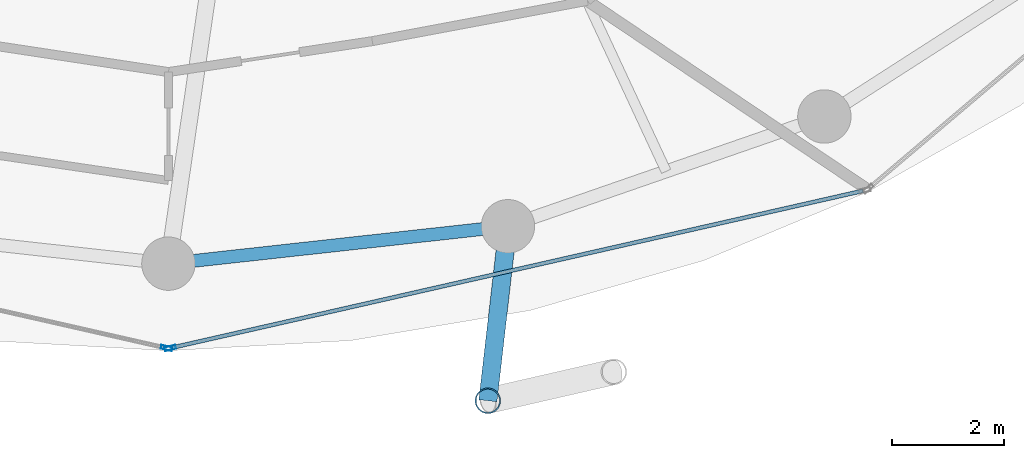
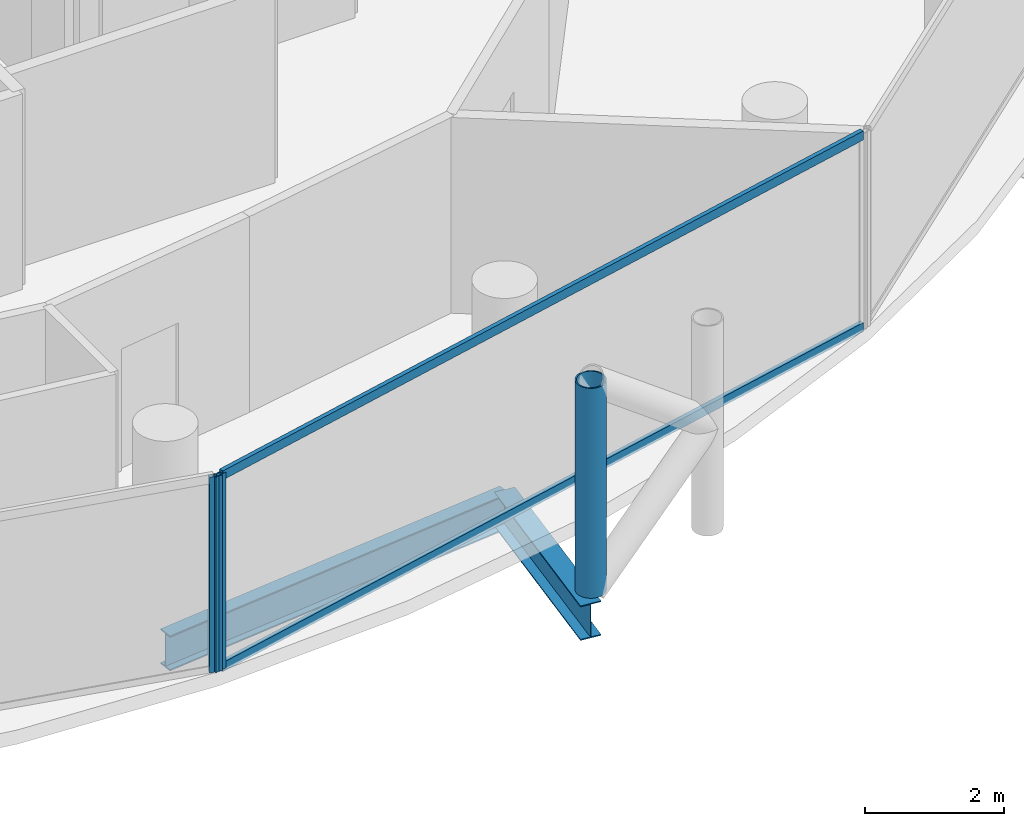
# One storey, part 4 of 26: 5 members, 2 beams, 2 elements without a shape of their own.
"""IFC4 building model written with IfcOpenShell, lengths in metres."""

from ifc_helpers import new_model, si_unit, direction, frame, origin, origin_2d, place, context, subcontext, project, spatial, hollow_rectangle, hollow_circle, i_section, extrude, material, layer, layer_set, material_profile, profile_set, type_object, element, aggregate, save


model = new_model("IFC4")

# Units and contexts
model_context = context("Model", 3, precision=1e-05, world=origin(), true_north=direction((0.0, 1.0)))
body_context = subcontext(model_context, "Body", "Model", "MODEL_VIEW")
ifc_project = project(units=[si_unit("LENGTHUNIT", "METRE"), si_unit("AREAUNIT", "SQUARE_METRE"), si_unit("VOLUMEUNIT", "CUBIC_METRE"), si_unit("PLANEANGLEUNIT", "RADIAN"), si_unit("MASSUNIT", "GRAM", prefix="KILO")], contexts=[model_context])

# Site, building, storey
site_placement = place(None, origin())
site = spatial("IfcSite", under=ifc_project, at=site_placement, CompositionType="ELEMENT")
building_placement = place(site_placement, origin())
building = spatial("IfcBuilding", under=site, at=building_placement, Name="Nuhasar Tower", CompositionType="ELEMENT")
storey_placement = place(building_placement, frame((0.0, 0.0, 170.050048828125)))
storey = spatial("IfcBuildingStorey", under=building, at=storey_placement, Name="L41", CompositionType="ELEMENT", Elevation=170.050048828125)

# Beams
ifc_material_1 = material(Name="Steel S355", Category="steel")
ifc_material_profile_1 = material_profile(ifc_material_1, i_section(OverallWidth=0.22998046875, OverallDepth=0.616943359375, WebThickness=0.01318359375, FlangeThickness=0.022216796875, at=origin_2d()), Name="W24X94")
ifc_profile_set_1 = profile_set([ifc_material_profile_1], Name="Steel S355")
beam_type_1 = type_object("IfcBeamType", Name="BM-RING-W24X94", PredefinedType="SPANDREL", material=ifc_profile_set_1)
beam_1_placement = place(storey_placement, frame((39.0, 7.25, -0.55810546875), z_axis=(0.993981289157, 0.109549974015, 0.0), x_axis=(-0.109549974015, 0.993981289157, 0.0)))
element("IfcBeam", 1, at=beam_1_placement, inside=storey, type_object=beam_type_1, Name="L41 Perimeter Ring Spandrel 19", PredefinedType="SPANDREL", context=body_context, shape_type="SweptSolid", body=[
    extrude(i_section(OverallWidth=0.22998046875, OverallDepth=0.616943359375, WebThickness=0.01318359375, FlangeThickness=0.022216796875, at=origin_2d()), origin(), (0.0, 0.0, 1.0), 6.07958984375),
])
ifc_material_profile_2 = material_profile(ifc_material_1, i_section(OverallWidth=0.323974609375, OverallDepth=0.611083984375, WebThickness=0.0126953125, FlangeThickness=0.01904296875, at=origin_2d()), Name="W24X104")
ifc_profile_set_2 = profile_set([ifc_material_profile_2], Name="Steel S355")
beam_type_2 = type_object("IfcBeamType", Name="BM-TIE-W24X104", PredefinedType="BEAM", material=ifc_profile_set_2)
beam_2_placement = place(storey_placement, frame((45.04296875, 7.916015625, -0.554931640625), z_axis=(-0.114167639647, -0.993461499031, 0.0), x_axis=(0.993461499031, -0.114167639647, 0.0)))
element("IfcBeam", 2, at=beam_2_placement, inside=storey, type_object=beam_type_2, Name="L41 Exoskeleton Node Tie Beam 10", PredefinedType="BEAM", context=body_context, shape_type="SweptSolid", body=[
    extrude(i_section(OverallWidth=0.323974609375, OverallDepth=0.611083984375, WebThickness=0.0126953125, FlangeThickness=0.01904296875, at=origin_2d()), origin(), (0.0, 0.0, 1.0), 3.12646484375),
])

# Curtain wall, member
ifc_material_2 = material(Name="Aluminium 6063-T6", Category="aluminium")
ifc_layer = layer(ifc_material_2, 0.199951171875)
ifc_layer_set = layer_set([ifc_layer], Name="Aluminium 6063-T6")
curtain_wall_type = type_object("IfcCurtainWallType", Name="CW-Z2-HTL", PredefinedType="NOTDEFINED", material=ifc_layer_set)
curtain_wall_1_placement = place(storey_placement, origin())
curtain_wall_1 = element("IfcCurtainWall", 3, at=curtain_wall_1_placement, inside=storey, type_object=curtain_wall_type, Name="L41 Unitised Curtain Wall 09", PredefinedType="NOTDEFINED")
ifc_material_profile_3 = material_profile(ifc_material_2, hollow_rectangle(XDim=0.070068359375, YDim=0.199951171875, WallThickness=0.0048828125, at=origin_2d()), Name="CWM-3")
ifc_profile_set_3 = profile_set([ifc_material_profile_3], Name="Aluminium 6063-T6")
member_type_1 = type_object("IfcMemberType", Name="CW-MUL-S3", PredefinedType="MULLION", material=ifc_profile_set_3)
member_1_placement = place(storey_placement, frame((38.9658203125, 5.747802734375, 0.0), z_axis=(0.0, 0.0, 1.0), x_axis=(0.22139729566, 0.975183694221, 0.0)))
member_1 = element("IfcMember", 4, at=member_1_placement, type_object=member_type_1, Name="CW-Z2 mullion 2", PredefinedType="MULLION", context=body_context, shape_type="SweptSolid", body=[
    extrude(hollow_rectangle(XDim=0.070068359375, YDim=0.199951171875, WallThickness=0.0048828125, at=origin_2d()), origin(), (0.0, 0.0, 1.0), 3.449951171875),
])
aggregate(curtain_wall_1, [member_1])

# Curtain wall, members
curtain_wall_2_placement = place(storey_placement, origin())
curtain_wall_2 = element("IfcCurtainWall", 5, at=curtain_wall_2_placement, inside=storey, type_object=curtain_wall_type, Name="L41 Unitised Curtain Wall 10", PredefinedType="NOTDEFINED")
member_2_placement = place(storey_placement, frame((39.0341796875, 5.747802734375, 0.0), z_axis=(0.0, 0.0, 1.0), x_axis=(-0.22139729566, 0.975183694221, 0.0)))
member_2 = element("IfcMember", 6, at=member_2_placement, type_object=member_type_1, Name="CW-Z2 mullion 1", PredefinedType="MULLION", context=body_context, shape_type="SweptSolid", body=[
    extrude(hollow_rectangle(XDim=0.070068359375, YDim=0.199951171875, WallThickness=0.0048828125, at=origin_2d()), origin(), (0.0, 0.0, 1.0), 3.449951171875),
])
ifc_material_profile_4 = material_profile(ifc_material_2, hollow_rectangle(XDim=0.070068359375, YDim=0.159912109375, WallThickness=0.00439453125, at=origin_2d()), Name="CWT-3")
ifc_profile_set_4 = profile_set([ifc_material_profile_4], Name="Aluminium 6063-T6")
member_type_2 = type_object("IfcMemberType", Name="CW-TRN-S3", PredefinedType="USERDEFINED", material=ifc_profile_set_4)
member_3_placement = place(storey_placement, frame((39.068359375, 5.755615234375, 0.034912109375), z_axis=(0.975187615691, 0.221380022142, 0.0), x_axis=(-0.221380022142, 0.975187615691, 0.0)))
member_3 = element("IfcMember", 7, at=member_3_placement, type_object=member_type_2, Name="CW-Z2 transom 1.1", ObjectType="TRANSOM", PredefinedType="USERDEFINED", context=body_context, shape_type="SweptSolid", body=[
    extrude(hollow_rectangle(XDim=0.070068359375, YDim=0.159912109375, WallThickness=0.00439453125, at=origin_2d()), origin(), (0.0, 0.0, 1.0), 12.606201171875),
])
member_4_placement = place(storey_placement, frame((39.068359375, 5.755615234375, 3.4150390625), z_axis=(0.975187615691, 0.221380022142, 0.0), x_axis=(-0.221380022142, 0.975187615691, 0.0)))
member_4 = element("IfcMember", 8, at=member_4_placement, type_object=member_type_2, Name="CW-Z2 transom 1.2", ObjectType="TRANSOM", PredefinedType="USERDEFINED", context=body_context, shape_type="SweptSolid", body=[
    extrude(hollow_rectangle(XDim=0.070068359375, YDim=0.159912109375, WallThickness=0.00439453125, at=origin_2d()), origin(), (0.0, 0.0, 1.0), 12.606201171875),
])
aggregate(curtain_wall_2, [member_2, member_3, member_4])

# Member
ifc_material_3 = material(Name="Steel S460", Category="steel")
ifc_material_profile_5 = material_profile(ifc_material_3, hollow_circle(Radius=0.228515625, WallThickness=0.022216796875, at=origin_2d()), Name="HSS457X22.2")
ifc_profile_set_5 = profile_set([ifc_material_profile_5], Name="Steel S460")
member_type_3 = type_object("IfcMemberType", Name="EXO-BRONZE-457", PredefinedType="BRACE", material=ifc_profile_set_5)
member_5_placement = place(storey_placement, frame((44.68603515625, 4.81005859375, 0.0), z_axis=(0.0, 0.0, 1.0), x_axis=(1.0, 0.0, 0.0)))
element("IfcMember", 9, at=member_5_placement, inside=storey, type_object=member_type_3, Name="L41 Exoskeleton Chord Column EC-10A", PredefinedType="BRACE", context=body_context, shape_type="SweptSolid", body=[
    extrude(hollow_circle(Radius=0.228515625, WallThickness=0.022216796875, at=origin_2d()), origin(), (0.0, 0.0, 1.0), 3.699951171875),
])

save(model, "model.ifc")
